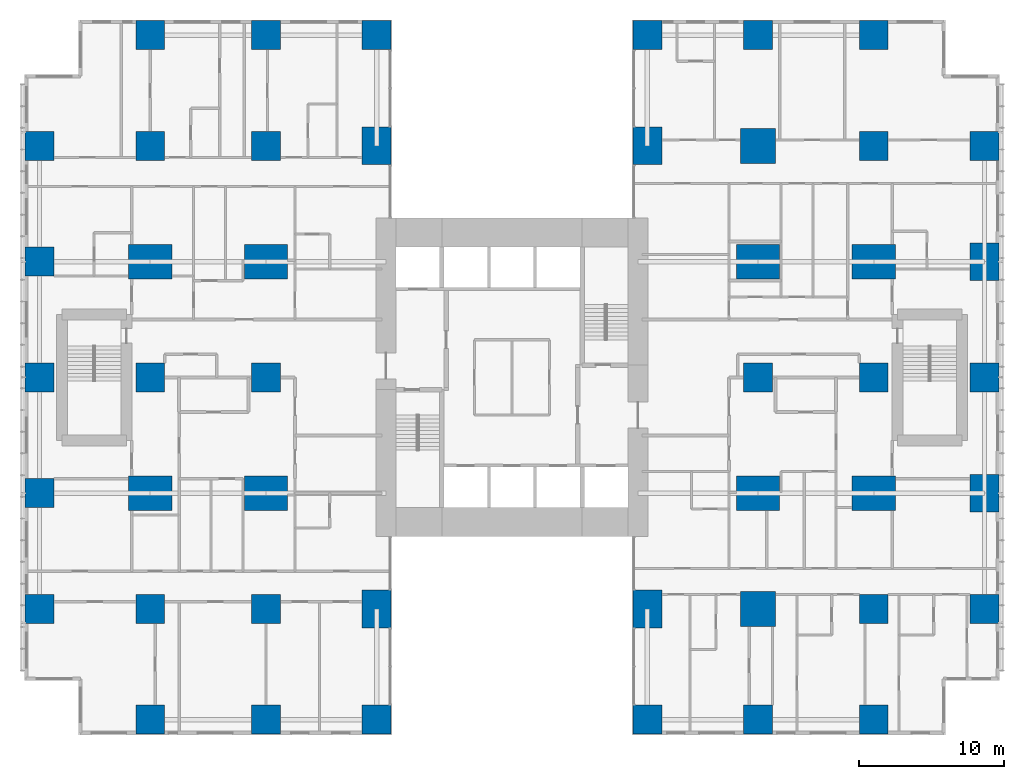
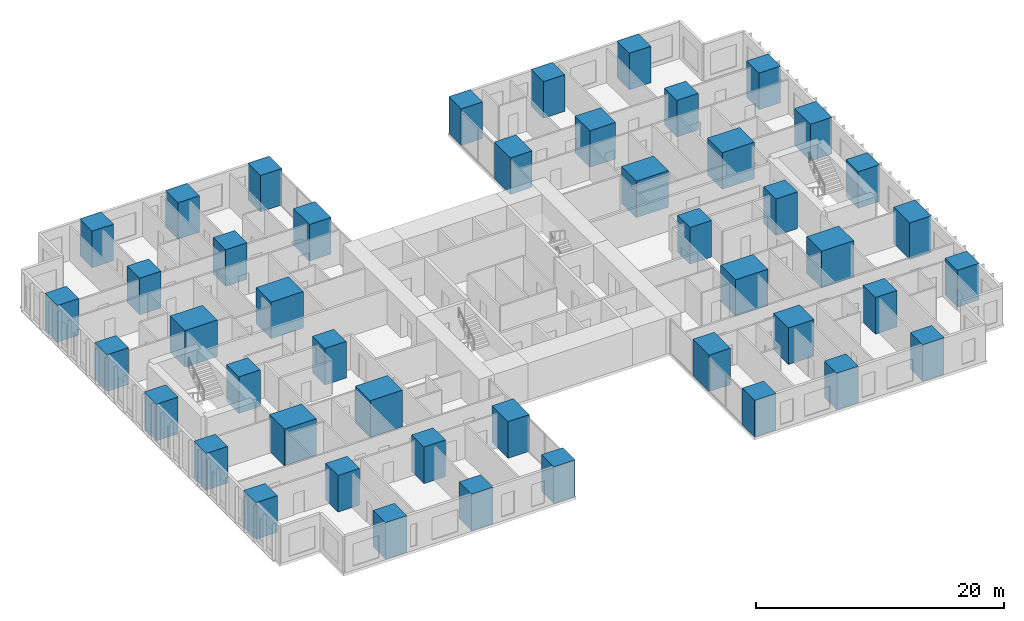
# One storey, part 1 of 21: 46 columns.
"""IFC4 building model written with IfcOpenShell, lengths in metres."""

from ifc_helpers import new_model, si_unit, direction, frame, origin, origin_2d, place, context, subcontext, project, spatial, rectangle, extrude, material, material_profile, profile_set, type_object, element, save


model = new_model("IFC4")

# Units and contexts
model_context = context("Model", 3, precision=1e-05, world=origin(), true_north=direction((0.0, 1.0)))
body_context = subcontext(model_context, "Body", "Model", "MODEL_VIEW")
ifc_project = project(units=[si_unit("LENGTHUNIT", "METRE"), si_unit("AREAUNIT", "SQUARE_METRE"), si_unit("VOLUMEUNIT", "CUBIC_METRE"), si_unit("PLANEANGLEUNIT", "RADIAN"), si_unit("MASSUNIT", "GRAM", prefix="KILO")], contexts=[model_context])

# Site, building, storey
site_placement = place(None, origin())
site = spatial("IfcSite", under=ifc_project, at=site_placement, CompositionType="ELEMENT")
building_placement = place(site_placement, origin())
building = spatial("IfcBuilding", under=site, at=building_placement, Name="Cleftline Residences", CompositionType="ELEMENT")
storey_placement = place(building_placement, frame((0.0, 0.0, 125.0)))
storey = spatial("IfcBuildingStorey", under=building, at=storey_placement, Name="L32", CompositionType="ELEMENT", Elevation=125.0)

# Columns
ifc_material_1 = material(Name="Concrete B70", Category="concrete")
ifc_material_profile_1 = material_profile(ifc_material_1, rectangle(XDim=2.0, YDim=2.0, at=origin_2d()))
ifc_profile_set_1 = profile_set([ifc_material_profile_1], Name="Concrete B70")
column_type_1 = type_object("IfcColumnType", Name="COLUMN RC2000X2000", PredefinedType="COLUMN", material=ifc_profile_set_1)
for number, where, z_axis, x_axis, name in (
    (1, (0.35009765625, 8.0, 0.0), (0.0, 0.0, 1.0), (1.0, 0.0, 0.0), "Column D/3"),
    (2, (0.35009765625, 16.0, 0.0), (0.0, 0.0, 1.0), (1.0, 0.0, 0.0), "Column E/3"),
    (3, (0.35009765625, 24.0, 0.0), (0.0, 0.0, 1.0), (1.0, 0.0, 0.0), "Column F/3"),
    (4, (0.35009765625, 32.0, 0.0), (0.0, 0.0, 1.0), (1.0, 0.0, 0.0), "Column G/3"),
    (5, (0.35009765625, 40.0, 0.0), (0.0, 0.0, 1.0), (1.0, 0.0, 0.0), "Column H/3"),
    (6, (8.0, 0.35009765625, 0.0), (0.0, 0.0, 1.0), (1.0, 0.0, 0.0), "Column C/4"),
    (7, (8.0, 8.0, 0.0), (0.0, 0.0, 1.0), (1.0, 0.0, 0.0), "Column D/4"),
    (8, (8.0, 24.0, 0.0), (0.0, 0.0, 1.0), (1.0, 0.0, 0.0), "Column F/4"),
    (9, (8.0, 40.0, 0.0), (0.0, 0.0, 1.0), (1.0, 0.0, 0.0), "Column H/4"),
    (10, (8.0, 47.64990234375, 0.0), (0.0, 0.0, 1.0), (1.0, 0.0, 0.0), "Column J/4"),
    (11, (16.0, 0.35009765625, 0.0), (0.0, 0.0, 1.0), (1.0, 0.0, 0.0), "Column C/5"),
    (12, (16.0, 8.0, 0.0), (0.0, 0.0, 1.0), (1.0, 0.0, 0.0), "Column D/5"),
    (13, (16.0, 24.0, 0.0), (0.0, 0.0, 1.0), (1.0, 0.0, 0.0), "Column F/5"),
    (14, (16.0, 40.0, 0.0), (0.0, 0.0, 1.0), (1.0, 0.0, 0.0), "Column H/5"),
    (15, (16.0, 47.64990234375, 0.0), (0.0, 0.0, 1.0), (1.0, 0.0, 0.0), "Column J/5"),
    (16, (23.64990234375, 0.35009765625, 0.0), (0.0, 0.0, 1.0), (1.0, 0.0, 0.0), "Column C/6"),
    (17, (23.64990234375, 47.64990234375, 0.0), (0.0, 0.0, 1.0), (1.0, 0.0, 0.0), "Column J/6"),
    (18, (42.35009765625, 0.35009765625, 0.0), (0.0, 0.0, 1.0), (1.0, 0.0, 0.0), "Column C/8"),
    (19, (42.35009765625, 47.64990234375, 0.0), (0.0, 0.0, 1.0), (1.0, 0.0, 0.0), "Column J/8"),
    (20, (50.0, 0.35009765625, 0.0), (0.0, 0.0, 1.0), (1.0, 0.0, 0.0), "Column C/9"),
    (21, (50.0, 24.0, 0.0), (0.0, 0.0, 1.0), (1.0, 0.0, 0.0), "Column F/9"),
    (22, (50.0, 47.64990234375, 0.0), (0.0, 0.0, 1.0), (1.0, 0.0, 0.0), "Column J/9"),
    (23, (58.0, 0.35009765625, 0.0), (0.0, 0.0, 1.0), (1.0, 0.0, 0.0), "Column C/10"),
    (24, (58.0, 8.0, 0.0), (0.0, 0.0, 1.0), (1.0, 0.0, 0.0), "Column D/10"),
    (25, (58.0, 24.0, 0.0), (0.0, 0.0, 1.0), (1.0, 0.0, 0.0), "Column F/10"),
    (26, (58.0, 40.0, 0.0), (0.0, 0.0, 1.0), (1.0, 0.0, 0.0), "Column H/10"),
    (27, (58.0, 47.64990234375, 0.0), (0.0, 0.0, 1.0), (1.0, 0.0, 0.0), "Column J/10"),
    (28, (65.64990234375, 8.0, 0.0), (0.0, 0.0, 1.0), (1.0, 0.0, 0.0), "Column D/11"),
    (29, (65.64990234375, 24.0, 0.0), (0.0, 0.0, 1.0), (1.0, 0.0, 0.0), "Column F/11"),
    (30, (65.64990234375, 40.0, 0.0), (0.0, 0.0, 1.0), (1.0, 0.0, 0.0), "Column H/11"),
):
    element("IfcColumn", number, at=place(storey_placement, frame(where, z_axis=z_axis, x_axis=x_axis)), inside=storey, type_object=column_type_1, Name=name, PredefinedType="COLUMN", context=body_context, shape_type="SweptSolid", body=[
        extrude(rectangle(XDim=2.0, YDim=2.0, at=origin_2d()), origin(), (0.0, 0.0, 1.0), 3.60009765625),
    ])
ifc_material_2 = material(Name="Concrete B70", Category="concrete")
ifc_material_profile_2 = material_profile(ifc_material_2, rectangle(XDim=2.0, YDim=2.60009765625, at=origin_2d()))
ifc_profile_set_2 = profile_set([ifc_material_profile_2], Name="Concrete B70")
column_type_2 = type_object("IfcColumnType", Name="COLUMN RC2000X2600", PredefinedType="COLUMN", material=ifc_profile_set_2)
for number, where, z_axis, x_axis, name in (
    (31, (23.64990234375, 8.0, 0.0), (0.0, 0.0, 1.0), (1.0, 0.0, 0.0), "Column D/6"),
    (32, (23.64990234375, 40.0, 0.0), (0.0, 0.0, 1.0), (1.0, 0.0, 0.0), "Column H/6"),
    (33, (42.35009765625, 8.0, 0.0), (0.0, 0.0, 1.0), (1.0, 0.0, 0.0), "Column D/8"),
    (34, (42.35009765625, 40.0, 0.0), (0.0, 0.0, 1.0), (1.0, 0.0, 0.0), "Column H/8"),
):
    element("IfcColumn", number, at=place(storey_placement, frame(where, z_axis=z_axis, x_axis=x_axis)), inside=storey, type_object=column_type_2, Name=name, PredefinedType="COLUMN", context=body_context, shape_type="SweptSolid", body=[
        extrude(rectangle(XDim=2.0, YDim=2.60009765625, at=origin_2d()), origin(), (0.0, 0.0, 1.0), 3.60009765625),
    ])
ifc_material_3 = material(Name="Concrete B70", Category="concrete")
ifc_material_profile_3 = material_profile(ifc_material_3, rectangle(XDim=2.39990234375, YDim=2.39990234375, at=origin_2d()))
ifc_profile_set_3 = profile_set([ifc_material_profile_3], Name="Concrete B70")
column_type_3 = type_object("IfcColumnType", Name="COLUMN RC2400X2400", PredefinedType="COLUMN", material=ifc_profile_set_3)
for number, where, z_axis, x_axis, name in (
    (35, (50.0, 8.0, 0.0), (0.0, 0.0, 1.0), (1.0, 0.0, 0.0), "Column D/9"),
    (36, (50.0, 40.0, 0.0), (0.0, 0.0, 1.0), (1.0, 0.0, 0.0), "Column H/9"),
):
    element("IfcColumn", number, at=place(storey_placement, frame(where, z_axis=z_axis, x_axis=x_axis)), inside=storey, type_object=column_type_3, Name=name, PredefinedType="COLUMN", context=body_context, shape_type="SweptSolid", body=[
        extrude(rectangle(XDim=2.39990234375, YDim=2.39990234375, at=origin_2d()), origin(), (0.0, 0.0, 1.0), 3.60009765625),
    ])
ifc_material_4 = material(Name="Concrete B70", Category="concrete")
ifc_material_profile_4 = material_profile(ifc_material_4, rectangle(XDim=2.60009765625, YDim=2.0, at=origin_2d()))
ifc_profile_set_4 = profile_set([ifc_material_profile_4], Name="Concrete B70")
column_type_4 = type_object("IfcColumnType", Name="COLUMN RC2600X2000", PredefinedType="COLUMN", material=ifc_profile_set_4)
for number, where, z_axis, x_axis, name in (
    (37, (65.64990234375, 16.0, 0.0), (0.0, 0.0, 1.0), (0.0, 1.0, 0.0), "Column E/11"),
    (38, (65.64990234375, 32.0, 0.0), (0.0, 0.0, 1.0), (0.0, 1.0, 0.0), "Column G/11"),
):
    element("IfcColumn", number, at=place(storey_placement, frame(where, z_axis=z_axis, x_axis=x_axis)), inside=storey, type_object=column_type_4, Name=name, PredefinedType="COLUMN", context=body_context, shape_type="SweptSolid", body=[
        extrude(rectangle(XDim=2.60009765625, YDim=2.0, at=origin_2d()), origin(), (0.0, 0.0, 1.0), 3.60009765625),
    ])
ifc_material_5 = material(Name="Concrete B70", Category="concrete")
ifc_material_profile_5 = material_profile(ifc_material_5, rectangle(XDim=3.0, YDim=2.39990234375, at=origin_2d()))
ifc_profile_set_5 = profile_set([ifc_material_profile_5], Name="Concrete B70")
column_type_5 = type_object("IfcColumnType", Name="COLUMN RC3000X2400", PredefinedType="COLUMN", material=ifc_profile_set_5)
for number, where, z_axis, x_axis, name in (
    (39, (8.0, 16.0, 0.0), (0.0, 0.0, 1.0), (1.0, 0.0, 0.0), "Column E/4"),
    (40, (8.0, 32.0, 0.0), (0.0, 0.0, 1.0), (1.0, 0.0, 0.0), "Column G/4"),
    (41, (16.0, 16.0, 0.0), (0.0, 0.0, 1.0), (1.0, 0.0, 0.0), "Column E/5"),
    (42, (16.0, 32.0, 0.0), (0.0, 0.0, 1.0), (1.0, 0.0, 0.0), "Column G/5"),
    (43, (50.0, 16.0, 0.0), (0.0, 0.0, 1.0), (1.0, 0.0, 0.0), "Column E/9"),
    (44, (50.0, 32.0, 0.0), (0.0, 0.0, 1.0), (1.0, 0.0, 0.0), "Column G/9"),
    (45, (58.0, 16.0, 0.0), (0.0, 0.0, 1.0), (1.0, 0.0, 0.0), "Column E/10"),
    (46, (58.0, 32.0, 0.0), (0.0, 0.0, 1.0), (1.0, 0.0, 0.0), "Column G/10"),
):
    element("IfcColumn", number, at=place(storey_placement, frame(where, z_axis=z_axis, x_axis=x_axis)), inside=storey, type_object=column_type_5, Name=name, PredefinedType="COLUMN", context=body_context, shape_type="SweptSolid", body=[
        extrude(rectangle(XDim=3.0, YDim=2.39990234375, at=origin_2d()), origin(), (0.0, 0.0, 1.0), 3.60009765625),
    ])

save(model, "model.ifc")
